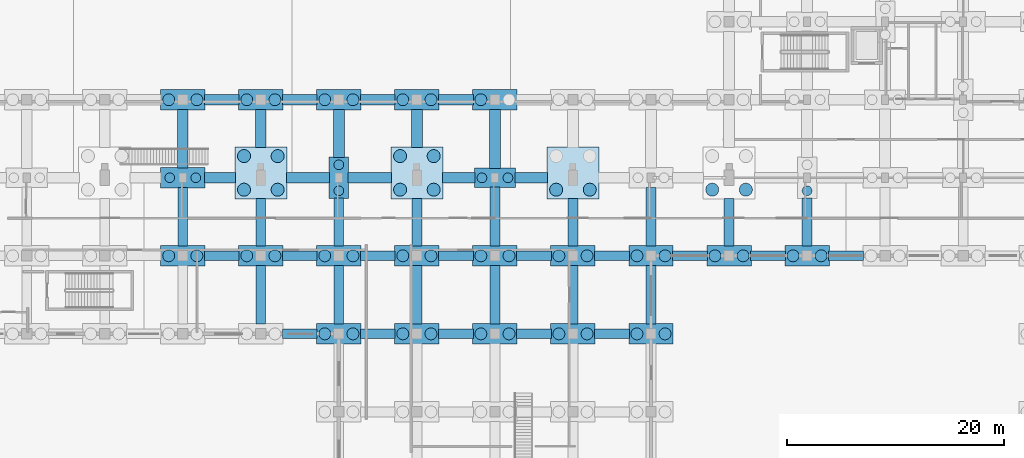
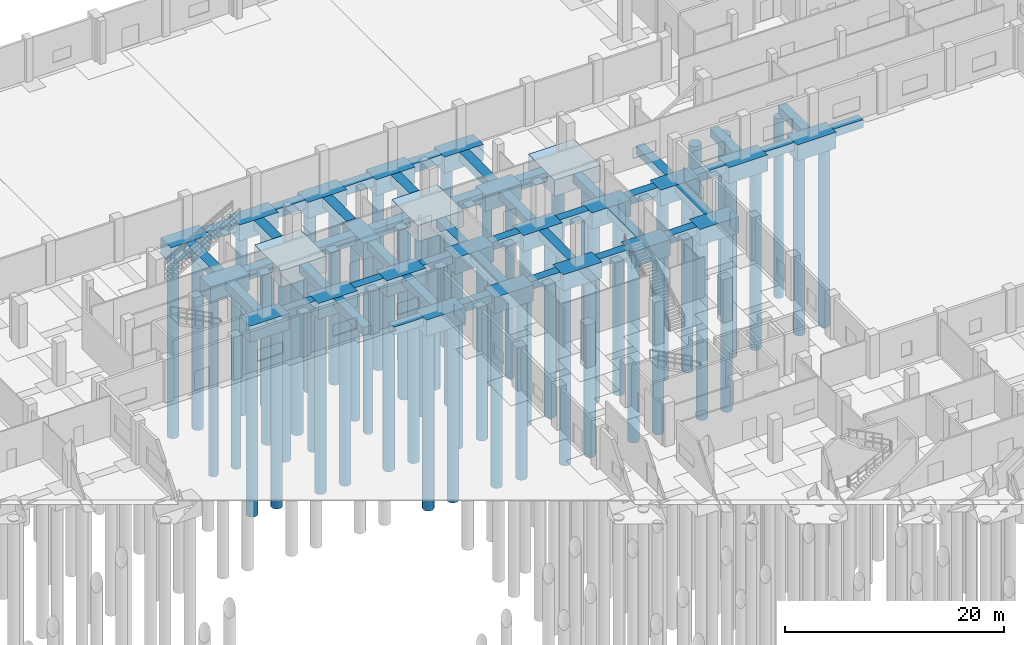
# One storey, part 8 of 48: 68 footings, 56 piles.
"""IFC4 building model written with IfcOpenShell, lengths in metres."""

from ifc_helpers import new_model, si_unit, direction, frame, origin, origin_2d, place, context, subcontext, project, spatial, rectangle, circle, extrude, material, material_profile, profile_set, type_object, element, save


model = new_model("IFC4")

# Units and contexts
model_context = context("Model", 3, precision=1e-05, world=origin(), true_north=direction((0.0, 1.0)))
body_context = subcontext(model_context, "Body", "Model", "MODEL_VIEW")
ifc_project = project(units=[si_unit("LENGTHUNIT", "METRE"), si_unit("AREAUNIT", "SQUARE_METRE"), si_unit("VOLUMEUNIT", "CUBIC_METRE"), si_unit("PLANEANGLEUNIT", "RADIAN"), si_unit("MASSUNIT", "GRAM", prefix="KILO")], contexts=[model_context])

# Site, building, storey
site_placement = place(None, origin())
site = spatial("IfcSite", under=ifc_project, at=site_placement, CompositionType="ELEMENT")
building_placement = place(site_placement, origin())
building = spatial("IfcBuilding", under=site, at=building_placement, Name="Seraya Terrace Polytechnic", CompositionType="ELEMENT")
storey_placement = place(building_placement, origin())
storey = spatial("IfcBuildingStorey", under=building, at=storey_placement, Name="L00", CompositionType="ELEMENT", Elevation=0.0)

# Piles
ifc_material = material(Name="Concrete C40/50", Category="concrete")
ifc_material_profile_1 = material_profile(ifc_material, circle(Radius=0.449951171875, at=origin_2d()), Name="DIA 900")
ifc_profile_set_1 = profile_set([ifc_material_profile_1], Name="Concrete C40/50")
pile_type_1 = type_object("IfcPileType", Name="BP-02", PredefinedType="BORED", material=ifc_profile_set_1)
for number, where, z_axis, x_axis, name in (
    (1, (63.60009765625, 79.199951171875, -1.699951171875), (0.0, 0.0, -1.0), (1.0, 0.0, 0.0), "Bored pile BP-02 0648_0792-1"),
    (2, (66.0, 79.199951171875, -1.699951171875), (0.0, 0.0, -1.0), (1.0, 0.0, 0.0), "Bored pile BP-02 0648_0792-2"),
    (3, (79.199951171875, 78.0, -1.699951171875), (0.0, 0.0, -1.0), (1.0, 0.0, 0.0), "Bored pile BP-02 0792_0792-1"),
    (4, (79.199951171875, 80.39990234375, -1.699951171875), (0.0, 0.0, -1.0), (1.0, 0.0, 0.0), "Bored pile BP-02 0792_0792-2"),
    (5, (92.39990234375, 79.199951171875, -1.699951171875), (0.0, 0.0, -1.0), (1.0, 0.0, 0.0), "Bored pile BP-02 0936_0792-1"),
    (6, (94.800048828125, 79.199951171875, -1.699951171875), (0.0, 0.0, -1.0), (1.0, 0.0, 0.0), "Bored pile BP-02 0936_0792-2"),
    (7, (122.39990234375, 78.0, -1.699951171875), (0.0, 0.0, -1.0), (1.0, 0.0, 0.0), "Bored pile BP-02 1224_0792-1"),
):
    element("IfcPile", number, at=place(storey_placement, frame(where, z_axis=z_axis, x_axis=x_axis)), inside=storey, type_object=pile_type_1, Name=name, PredefinedType="BORED", context=body_context, shape_type="SweptSolid", body=[
        extrude(circle(Radius=0.449951171875, at=origin_2d()), origin(), (0.0, 0.0, 1.0), 20.0),
    ])
ifc_material_profile_2 = material_profile(ifc_material, circle(Radius=0.550048828125, at=origin_2d()), Name="DIA 1100")
ifc_profile_set_2 = profile_set([ifc_material_profile_2], Name="Concrete C40/50")
pile_type_2 = type_object("IfcPileType", Name="BP-04", PredefinedType="BORED", material=ifc_profile_set_2)
for number, where, z_axis, x_axis, name in (
    (8, (63.5, 72.0, -1.699951171875), (0.0, 0.0, -1.0), (1.0, 0.0, 0.0), "Bored pile BP-04 0648_0720-1"),
    (9, (66.10009765625, 72.0, -1.699951171875), (0.0, 0.0, -1.0), (1.0, 0.0, 0.0), "Bored pile BP-04 0648_0720-2"),
    (10, (63.5, 86.39990234375, -1.699951171875), (0.0, 0.0, -1.0), (1.0, 0.0, 0.0), "Bored pile BP-04 0648_0864-1"),
    (11, (66.10009765625, 86.39990234375, -1.699951171875), (0.0, 0.0, -1.0), (1.0, 0.0, 0.0), "Bored pile BP-04 0648_0864-2"),
    (12, (70.699951171875, 72.0, -1.699951171875), (0.0, 0.0, -1.0), (1.0, 0.0, 0.0), "Bored pile BP-04 0720_0720-1"),
    (13, (73.300048828125, 72.0, -1.699951171875), (0.0, 0.0, -1.0), (1.0, 0.0, 0.0), "Bored pile BP-04 0720_0720-2"),
    (14, (70.699951171875, 86.39990234375, -1.699951171875), (0.0, 0.0, -1.0), (1.0, 0.0, 0.0), "Bored pile BP-04 0720_0864-1"),
    (15, (73.300048828125, 86.39990234375, -1.699951171875), (0.0, 0.0, -1.0), (1.0, 0.0, 0.0), "Bored pile BP-04 0720_0864-2"),
    (16, (77.89990234375, 64.800048828125, -1.699951171875), (0.0, 0.0, -1.0), (1.0, 0.0, 0.0), "Bored pile BP-04 0792_0648-1"),
    (17, (80.5, 64.800048828125, -1.699951171875), (0.0, 0.0, -1.0), (1.0, 0.0, 0.0), "Bored pile BP-04 0792_0648-2"),
    (18, (77.89990234375, 72.0, -1.699951171875), (0.0, 0.0, -1.0), (1.0, 0.0, 0.0), "Bored pile BP-04 0792_0720-1"),
    (19, (80.5, 72.0, -1.699951171875), (0.0, 0.0, -1.0), (1.0, 0.0, 0.0), "Bored pile BP-04 0792_0720-2"),
    (20, (77.89990234375, 86.39990234375, -1.699951171875), (0.0, 0.0, -1.0), (1.0, 0.0, 0.0), "Bored pile BP-04 0792_0864-1"),
    (21, (80.5, 86.39990234375, -1.699951171875), (0.0, 0.0, -1.0), (1.0, 0.0, 0.0), "Bored pile BP-04 0792_0864-2"),
    (22, (85.10009765625, 64.800048828125, -1.699951171875), (0.0, 0.0, -1.0), (1.0, 0.0, 0.0), "Bored pile BP-04 0864_0648-1"),
    (23, (87.699951171875, 64.800048828125, -1.699951171875), (0.0, 0.0, -1.0), (1.0, 0.0, 0.0), "Bored pile BP-04 0864_0648-2"),
    (24, (85.10009765625, 72.0, -1.699951171875), (0.0, 0.0, -1.0), (1.0, 0.0, 0.0), "Bored pile BP-04 0864_0720-1"),
    (25, (87.699951171875, 72.0, -1.699951171875), (0.0, 0.0, -1.0), (1.0, 0.0, 0.0), "Bored pile BP-04 0864_0720-2"),
    (26, (85.10009765625, 86.39990234375, -1.699951171875), (0.0, 0.0, -1.0), (1.0, 0.0, 0.0), "Bored pile BP-04 0864_0864-1"),
    (27, (87.699951171875, 86.39990234375, -1.699951171875), (0.0, 0.0, -1.0), (1.0, 0.0, 0.0), "Bored pile BP-04 0864_0864-2"),
    (28, (92.300048828125, 64.800048828125, -1.699951171875), (0.0, 0.0, -1.0), (1.0, 0.0, 0.0), "Bored pile BP-04 0936_0648-1"),
    (29, (94.89990234375, 64.800048828125, -1.699951171875), (0.0, 0.0, -1.0), (1.0, 0.0, 0.0), "Bored pile BP-04 0936_0648-2"),
    (30, (92.300048828125, 72.0, -1.699951171875), (0.0, 0.0, -1.0), (1.0, 0.0, 0.0), "Bored pile BP-04 0936_0720-1"),
    (31, (94.89990234375, 72.0, -1.699951171875), (0.0, 0.0, -1.0), (1.0, 0.0, 0.0), "Bored pile BP-04 0936_0720-2"),
    (32, (92.300048828125, 86.39990234375, -1.699951171875), (0.0, 0.0, -1.0), (1.0, 0.0, 0.0), "Bored pile BP-04 0936_0864-1"),
    (33, (99.5, 64.800048828125, -1.699951171875), (0.0, 0.0, -1.0), (1.0, 0.0, 0.0), "Bored pile BP-04 1008_0648-1"),
    (34, (102.10009765625, 64.800048828125, -1.699951171875), (0.0, 0.0, -1.0), (1.0, 0.0, 0.0), "Bored pile BP-04 1008_0648-2"),
    (35, (99.5, 72.0, -1.699951171875), (0.0, 0.0, -1.0), (1.0, 0.0, 0.0), "Bored pile BP-04 1008_0720-1"),
    (36, (102.10009765625, 72.0, -1.699951171875), (0.0, 0.0, -1.0), (1.0, 0.0, 0.0), "Bored pile BP-04 1008_0720-2"),
    (37, (106.699951171875, 64.800048828125, -1.699951171875), (0.0, 0.0, -1.0), (1.0, 0.0, 0.0), "Bored pile BP-04 1080_0648-1"),
    (38, (109.300048828125, 64.800048828125, -1.699951171875), (0.0, 0.0, -1.0), (1.0, 0.0, 0.0), "Bored pile BP-04 1080_0648-2"),
    (39, (106.699951171875, 72.0, -1.699951171875), (0.0, 0.0, -1.0), (1.0, 0.0, 0.0), "Bored pile BP-04 1080_0720-1"),
    (40, (109.300048828125, 72.0, -1.699951171875), (0.0, 0.0, -1.0), (1.0, 0.0, 0.0), "Bored pile BP-04 1080_0720-2"),
    (41, (113.89990234375, 72.0, -1.699951171875), (0.0, 0.0, -1.0), (1.0, 0.0, 0.0), "Bored pile BP-04 1152_0720-1"),
    (42, (116.5, 72.0, -1.699951171875), (0.0, 0.0, -1.0), (1.0, 0.0, 0.0), "Bored pile BP-04 1152_0720-2"),
    (43, (121.10009765625, 72.0, -1.699951171875), (0.0, 0.0, -1.0), (1.0, 0.0, 0.0), "Bored pile BP-04 1224_0720-1"),
    (44, (123.699951171875, 72.0, -1.699951171875), (0.0, 0.0, -1.0), (1.0, 0.0, 0.0), "Bored pile BP-04 1224_0720-2"),
):
    element("IfcPile", number, at=place(storey_placement, frame(where, z_axis=z_axis, x_axis=x_axis)), inside=storey, type_object=pile_type_2, Name=name, PredefinedType="BORED", context=body_context, shape_type="SweptSolid", body=[
        extrude(circle(Radius=0.550048828125, at=origin_2d()), origin(), (0.0, 0.0, 1.0), 20.0),
    ])
ifc_material_profile_3 = material_profile(ifc_material, circle(Radius=0.60009765625, at=origin_2d()), Name="DIA 1200")
ifc_profile_set_3 = profile_set([ifc_material_profile_3], Name="Concrete C40/50")
pile_type_3 = type_object("IfcPileType", Name="BP-05", PredefinedType="BORED", material=ifc_profile_set_3)
for number, where, z_axis, x_axis, name in (
    (45, (70.449951171875, 78.10009765625, -1.699951171875), (0.0, 0.0, -1.0), (1.0, 0.0, 0.0), "Bored pile BP-05 0720_0792-1"),
    (46, (73.550048828125, 78.10009765625, -1.699951171875), (0.0, 0.0, -1.0), (1.0, 0.0, 0.0), "Bored pile BP-05 0720_0792-2"),
    (47, (70.449951171875, 81.199951171875, -1.699951171875), (0.0, 0.0, -1.0), (1.0, 0.0, 0.0), "Bored pile BP-05 0720_0792-3"),
    (48, (73.550048828125, 81.199951171875, -1.699951171875), (0.0, 0.0, -1.0), (1.0, 0.0, 0.0), "Bored pile BP-05 0720_0792-4"),
    (49, (84.85009765625, 78.10009765625, -1.699951171875), (0.0, 0.0, -1.0), (1.0, 0.0, 0.0), "Bored pile BP-05 0864_0792-1"),
    (50, (87.949951171875, 78.10009765625, -1.699951171875), (0.0, 0.0, -1.0), (1.0, 0.0, 0.0), "Bored pile BP-05 0864_0792-2"),
    (51, (84.85009765625, 81.199951171875, -1.699951171875), (0.0, 0.0, -1.0), (1.0, 0.0, 0.0), "Bored pile BP-05 0864_0792-3"),
    (52, (87.949951171875, 81.199951171875, -1.699951171875), (0.0, 0.0, -1.0), (1.0, 0.0, 0.0), "Bored pile BP-05 0864_0792-4"),
    (53, (99.25, 78.10009765625, -1.699951171875), (0.0, 0.0, -1.0), (1.0, 0.0, 0.0), "Bored pile BP-05 1008_0792-1"),
    (54, (102.35009765625, 78.10009765625, -1.699951171875), (0.0, 0.0, -1.0), (1.0, 0.0, 0.0), "Bored pile BP-05 1008_0792-2"),
    (55, (113.64990234375, 78.10009765625, -1.699951171875), (0.0, 0.0, -1.0), (1.0, 0.0, 0.0), "Bored pile BP-05 1152_0792-1"),
    (56, (116.75, 78.10009765625, -1.699951171875), (0.0, 0.0, -1.0), (1.0, 0.0, 0.0), "Bored pile BP-05 1152_0792-2"),
):
    element("IfcPile", number, at=place(storey_placement, frame(where, z_axis=z_axis, x_axis=x_axis)), inside=storey, type_object=pile_type_3, Name=name, PredefinedType="BORED", context=body_context, shape_type="SweptSolid", body=[
        extrude(circle(Radius=0.60009765625, at=origin_2d()), origin(), (0.0, 0.0, 1.0), 20.0),
    ])

# Footings
footing_type_1 = type_object("IfcFootingType", Name="FB-01", PredefinedType="FOOTING_BEAM", material=ifc_material)
footing_1_placement = place(storey_placement, frame((68.39990234375, 72.0, -0.89990234375), z_axis=(0.0, 0.0, 1.0), x_axis=(1.0, 0.0, 0.0)))
element("IfcFooting", 57, at=footing_1_placement, inside=storey, type_object=footing_type_1, Name="Foundation tie beam FB-01 X", PredefinedType="FOOTING_BEAM", context=body_context, shape_type="SweptSolid", body=[
    extrude(rectangle(XDim=3.199951171875, YDim=0.89990234375, at=origin_2d()), origin(), (0.0, 0.0, 1.0), 0.89990234375),
])
footing_2_placement = place(storey_placement, frame((64.800048828125, 75.60009765625, -0.89990234375), z_axis=(0.0, 0.0, 1.0), x_axis=(0.0, 1.0, 0.0)))
element("IfcFooting", 58, at=footing_2_placement, inside=storey, type_object=footing_type_1, Name="Foundation tie beam FB-01 Y", PredefinedType="FOOTING_BEAM", context=body_context, shape_type="SweptSolid", body=[
    extrude(rectangle(XDim=5.39990234375, YDim=0.89990234375, at=origin_2d()), origin(), (0.0, 0.0, 1.0), 0.89990234375),
])
footing_3_placement = place(storey_placement, frame((75.60009765625, 64.800048828125, -0.89990234375), z_axis=(0.0, 0.0, 1.0), x_axis=(1.0, 0.0, 0.0)))
element("IfcFooting", 59, at=footing_3_placement, inside=storey, type_object=footing_type_1, Name="Foundation tie beam FB-01 X", PredefinedType="FOOTING_BEAM", context=body_context, shape_type="SweptSolid", body=[
    extrude(rectangle(XDim=3.199951171875, YDim=0.89990234375, at=origin_2d()), origin(), (0.0, 0.0, 1.0), 0.89990234375),
])
footing_4_placement = place(storey_placement, frame((72.0, 68.39990234375, -0.89990234375), z_axis=(0.0, 0.0, 1.0), x_axis=(0.0, 1.0, 0.0)))
element("IfcFooting", 60, at=footing_4_placement, inside=storey, type_object=footing_type_1, Name="Foundation tie beam FB-01 Y", PredefinedType="FOOTING_BEAM", context=body_context, shape_type="SweptSolid", body=[
    extrude(rectangle(XDim=5.39990234375, YDim=0.89990234375, at=origin_2d()), origin(), (0.0, 0.0, 1.0), 0.89990234375),
])
footing_5_placement = place(storey_placement, frame((75.60009765625, 72.0, -0.89990234375), z_axis=(0.0, 0.0, 1.0), x_axis=(1.0, 0.0, 0.0)))
element("IfcFooting", 61, at=footing_5_placement, inside=storey, type_object=footing_type_1, Name="Foundation tie beam FB-01 X", PredefinedType="FOOTING_BEAM", context=body_context, shape_type="SweptSolid", body=[
    extrude(rectangle(XDim=3.199951171875, YDim=0.89990234375, at=origin_2d()), origin(), (0.0, 0.0, 1.0), 0.89990234375),
])
footing_6_placement = place(storey_placement, frame((72.0, 75.10009765625, -0.89990234375), z_axis=(0.0, 0.0, 1.0), x_axis=(0.0, 1.0, 0.0)))
element("IfcFooting", 62, at=footing_6_placement, inside=storey, type_object=footing_type_1, Name="Foundation tie beam FB-01 Y", PredefinedType="FOOTING_BEAM", context=body_context, shape_type="SweptSolid", body=[
    extrude(rectangle(XDim=4.39990234375, YDim=0.89990234375, at=origin_2d()), origin(), (0.0, 0.0, 1.0), 0.89990234375),
])
footing_7_placement = place(storey_placement, frame((82.800048828125, 64.800048828125, -0.89990234375), z_axis=(0.0, 0.0, 1.0), x_axis=(1.0, 0.0, 0.0)))
element("IfcFooting", 63, at=footing_7_placement, inside=storey, type_object=footing_type_1, Name="Foundation tie beam FB-01 X", PredefinedType="FOOTING_BEAM", context=body_context, shape_type="SweptSolid", body=[
    extrude(rectangle(XDim=3.199951171875, YDim=0.89990234375, at=origin_2d()), origin(), (0.0, 0.0, 1.0), 0.89990234375),
])
footing_8_placement = place(storey_placement, frame((79.199951171875, 68.39990234375, -0.89990234375), z_axis=(0.0, 0.0, 1.0), x_axis=(0.0, 1.0, 0.0)))
element("IfcFooting", 64, at=footing_8_placement, inside=storey, type_object=footing_type_1, Name="Foundation tie beam FB-01 Y", PredefinedType="FOOTING_BEAM", context=body_context, shape_type="SweptSolid", body=[
    extrude(rectangle(XDim=5.39990234375, YDim=0.89990234375, at=origin_2d()), origin(), (0.0, 0.0, 1.0), 0.89990234375),
])
footing_9_placement = place(storey_placement, frame((82.800048828125, 72.0, -0.89990234375), z_axis=(0.0, 0.0, 1.0), x_axis=(1.0, 0.0, 0.0)))
element("IfcFooting", 65, at=footing_9_placement, inside=storey, type_object=footing_type_1, Name="Foundation tie beam FB-01 X", PredefinedType="FOOTING_BEAM", context=body_context, shape_type="SweptSolid", body=[
    extrude(rectangle(XDim=3.199951171875, YDim=0.89990234375, at=origin_2d()), origin(), (0.0, 0.0, 1.0), 0.89990234375),
])
footing_10_placement = place(storey_placement, frame((79.199951171875, 75.125, -0.89990234375), z_axis=(0.0, 0.0, 1.0), x_axis=(0.0, 1.0, 0.0)))
element("IfcFooting", 66, at=footing_10_placement, inside=storey, type_object=footing_type_1, Name="Foundation tie beam FB-01 Y", PredefinedType="FOOTING_BEAM", context=body_context, shape_type="SweptSolid", body=[
    extrude(rectangle(XDim=4.449951171875, YDim=0.89990234375, at=origin_2d()), origin(), (0.0, 0.0, 1.0), 0.89990234375),
])
footing_11_placement = place(storey_placement, frame((90.0, 64.800048828125, -0.89990234375), z_axis=(0.0, 0.0, 1.0), x_axis=(1.0, 0.0, 0.0)))
element("IfcFooting", 67, at=footing_11_placement, inside=storey, type_object=footing_type_1, Name="Foundation tie beam FB-01 X", PredefinedType="FOOTING_BEAM", context=body_context, shape_type="SweptSolid", body=[
    extrude(rectangle(XDim=3.199951171875, YDim=0.89990234375, at=origin_2d()), origin(), (0.0, 0.0, 1.0), 0.89990234375),
])
footing_12_placement = place(storey_placement, frame((86.39990234375, 68.39990234375, -0.89990234375), z_axis=(0.0, 0.0, 1.0), x_axis=(0.0, 1.0, 0.0)))
element("IfcFooting", 68, at=footing_12_placement, inside=storey, type_object=footing_type_1, Name="Foundation tie beam FB-01 Y", PredefinedType="FOOTING_BEAM", context=body_context, shape_type="SweptSolid", body=[
    extrude(rectangle(XDim=5.39990234375, YDim=0.89990234375, at=origin_2d()), origin(), (0.0, 0.0, 1.0), 0.89990234375),
])
footing_13_placement = place(storey_placement, frame((90.0, 72.0, -0.89990234375), z_axis=(0.0, 0.0, 1.0), x_axis=(1.0, 0.0, 0.0)))
element("IfcFooting", 69, at=footing_13_placement, inside=storey, type_object=footing_type_1, Name="Foundation tie beam FB-01 X", PredefinedType="FOOTING_BEAM", context=body_context, shape_type="SweptSolid", body=[
    extrude(rectangle(XDim=3.199951171875, YDim=0.89990234375, at=origin_2d()), origin(), (0.0, 0.0, 1.0), 0.89990234375),
])
footing_14_placement = place(storey_placement, frame((86.39990234375, 75.10009765625, -0.89990234375), z_axis=(0.0, 0.0, 1.0), x_axis=(0.0, 1.0, 0.0)))
element("IfcFooting", 70, at=footing_14_placement, inside=storey, type_object=footing_type_1, Name="Foundation tie beam FB-01 Y", PredefinedType="FOOTING_BEAM", context=body_context, shape_type="SweptSolid", body=[
    extrude(rectangle(XDim=4.39990234375, YDim=0.89990234375, at=origin_2d()), origin(), (0.0, 0.0, 1.0), 0.89990234375),
])
footing_15_placement = place(storey_placement, frame((97.199951171875, 64.800048828125, -0.89990234375), z_axis=(0.0, 0.0, 1.0), x_axis=(1.0, 0.0, 0.0)))
element("IfcFooting", 71, at=footing_15_placement, inside=storey, type_object=footing_type_1, Name="Foundation tie beam FB-01 X", PredefinedType="FOOTING_BEAM", context=body_context, shape_type="SweptSolid", body=[
    extrude(rectangle(XDim=3.199951171875, YDim=0.89990234375, at=origin_2d()), origin(), (0.0, 0.0, 1.0), 0.89990234375),
])
footing_16_placement = place(storey_placement, frame((93.60009765625, 68.39990234375, -0.89990234375), z_axis=(0.0, 0.0, 1.0), x_axis=(0.0, 1.0, 0.0)))
element("IfcFooting", 72, at=footing_16_placement, inside=storey, type_object=footing_type_1, Name="Foundation tie beam FB-01 Y", PredefinedType="FOOTING_BEAM", context=body_context, shape_type="SweptSolid", body=[
    extrude(rectangle(XDim=5.39990234375, YDim=0.89990234375, at=origin_2d()), origin(), (0.0, 0.0, 1.0), 0.89990234375),
])
footing_17_placement = place(storey_placement, frame((97.199951171875, 72.0, -0.89990234375), z_axis=(0.0, 0.0, 1.0), x_axis=(1.0, 0.0, 0.0)))
element("IfcFooting", 73, at=footing_17_placement, inside=storey, type_object=footing_type_1, Name="Foundation tie beam FB-01 X", PredefinedType="FOOTING_BEAM", context=body_context, shape_type="SweptSolid", body=[
    extrude(rectangle(XDim=3.199951171875, YDim=0.89990234375, at=origin_2d()), origin(), (0.0, 0.0, 1.0), 0.89990234375),
])
footing_18_placement = place(storey_placement, frame((93.60009765625, 75.625, -0.89990234375), z_axis=(0.0, 0.0, 1.0), x_axis=(0.0, 1.0, 0.0)))
element("IfcFooting", 74, at=footing_18_placement, inside=storey, type_object=footing_type_1, Name="Foundation tie beam FB-01 Y", PredefinedType="FOOTING_BEAM", context=body_context, shape_type="SweptSolid", body=[
    extrude(rectangle(XDim=5.449951171875, YDim=0.89990234375, at=origin_2d()), origin(), (0.0, 0.0, 1.0), 0.89990234375),
])
footing_19_placement = place(storey_placement, frame((104.39990234375, 64.800048828125, -0.89990234375), z_axis=(0.0, 0.0, 1.0), x_axis=(1.0, 0.0, 0.0)))
element("IfcFooting", 75, at=footing_19_placement, inside=storey, type_object=footing_type_1, Name="Foundation tie beam FB-01 X", PredefinedType="FOOTING_BEAM", context=body_context, shape_type="SweptSolid", body=[
    extrude(rectangle(XDim=3.199951171875, YDim=0.89990234375, at=origin_2d()), origin(), (0.0, 0.0, 1.0), 0.89990234375),
])
footing_20_placement = place(storey_placement, frame((100.800048828125, 68.39990234375, -0.89990234375), z_axis=(0.0, 0.0, 1.0), x_axis=(0.0, 1.0, 0.0)))
element("IfcFooting", 76, at=footing_20_placement, inside=storey, type_object=footing_type_1, Name="Foundation tie beam FB-01 Y", PredefinedType="FOOTING_BEAM", context=body_context, shape_type="SweptSolid", body=[
    extrude(rectangle(XDim=5.39990234375, YDim=0.89990234375, at=origin_2d()), origin(), (0.0, 0.0, 1.0), 0.89990234375),
])
footing_21_placement = place(storey_placement, frame((104.39990234375, 72.0, -0.89990234375), z_axis=(0.0, 0.0, 1.0), x_axis=(1.0, 0.0, 0.0)))
element("IfcFooting", 77, at=footing_21_placement, inside=storey, type_object=footing_type_1, Name="Foundation tie beam FB-01 X", PredefinedType="FOOTING_BEAM", context=body_context, shape_type="SweptSolid", body=[
    extrude(rectangle(XDim=3.199951171875, YDim=0.89990234375, at=origin_2d()), origin(), (0.0, 0.0, 1.0), 0.89990234375),
])
footing_22_placement = place(storey_placement, frame((100.800048828125, 75.10009765625, -0.89990234375), z_axis=(0.0, 0.0, 1.0), x_axis=(0.0, 1.0, 0.0)))
element("IfcFooting", 78, at=footing_22_placement, inside=storey, type_object=footing_type_1, Name="Foundation tie beam FB-01 Y", PredefinedType="FOOTING_BEAM", context=body_context, shape_type="SweptSolid", body=[
    extrude(rectangle(XDim=4.39990234375, YDim=0.89990234375, at=origin_2d()), origin(), (0.0, 0.0, 1.0), 0.89990234375),
])
footing_23_placement = place(storey_placement, frame((108.0, 68.39990234375, -0.89990234375), z_axis=(0.0, 0.0, 1.0), x_axis=(0.0, 1.0, 0.0)))
element("IfcFooting", 79, at=footing_23_placement, inside=storey, type_object=footing_type_1, Name="Foundation tie beam FB-01 Y", PredefinedType="FOOTING_BEAM", context=body_context, shape_type="SweptSolid", body=[
    extrude(rectangle(XDim=5.39990234375, YDim=0.89990234375, at=origin_2d()), origin(), (0.0, 0.0, 1.0), 0.89990234375),
])
footing_24_placement = place(storey_placement, frame((111.60009765625, 72.0, -0.89990234375), z_axis=(0.0, 0.0, 1.0), x_axis=(1.0, 0.0, 0.0)))
element("IfcFooting", 80, at=footing_24_placement, inside=storey, type_object=footing_type_1, Name="Foundation tie beam FB-01 X", PredefinedType="FOOTING_BEAM", context=body_context, shape_type="SweptSolid", body=[
    extrude(rectangle(XDim=3.199951171875, YDim=0.89990234375, at=origin_2d()), origin(), (0.0, 0.0, 1.0), 0.89990234375),
])
footing_25_placement = place(storey_placement, frame((108.0, 75.60009765625, -0.89990234375), z_axis=(0.0, 0.0, 1.0), x_axis=(0.0, 1.0, 0.0)))
element("IfcFooting", 81, at=footing_25_placement, inside=storey, type_object=footing_type_1, Name="Foundation tie beam FB-01 Y", PredefinedType="FOOTING_BEAM", context=body_context, shape_type="SweptSolid", body=[
    extrude(rectangle(XDim=5.39990234375, YDim=0.89990234375, at=origin_2d()), origin(), (0.0, 0.0, 1.0), 0.89990234375),
])
footing_26_placement = place(storey_placement, frame((118.800048828125, 72.0, -0.89990234375), z_axis=(0.0, 0.0, 1.0), x_axis=(1.0, 0.0, 0.0)))
element("IfcFooting", 82, at=footing_26_placement, inside=storey, type_object=footing_type_1, Name="Foundation tie beam FB-01 X", PredefinedType="FOOTING_BEAM", context=body_context, shape_type="SweptSolid", body=[
    extrude(rectangle(XDim=3.199951171875, YDim=0.89990234375, at=origin_2d()), origin(), (0.0, 0.0, 1.0), 0.89990234375),
])
footing_27_placement = place(storey_placement, frame((115.199951171875, 75.10009765625, -0.89990234375), z_axis=(0.0, 0.0, 1.0), x_axis=(0.0, 1.0, 0.0)))
element("IfcFooting", 83, at=footing_27_placement, inside=storey, type_object=footing_type_1, Name="Foundation tie beam FB-01 Y", PredefinedType="FOOTING_BEAM", context=body_context, shape_type="SweptSolid", body=[
    extrude(rectangle(XDim=4.39990234375, YDim=0.89990234375, at=origin_2d()), origin(), (0.0, 0.0, 1.0), 0.89990234375),
])
footing_28_placement = place(storey_placement, frame((126.0, 72.0, -0.89990234375), z_axis=(0.0, 0.0, 1.0), x_axis=(1.0, 0.0, 0.0)))
element("IfcFooting", 84, at=footing_28_placement, inside=storey, type_object=footing_type_1, Name="Foundation tie beam FB-01 X", PredefinedType="FOOTING_BEAM", context=body_context, shape_type="SweptSolid", body=[
    extrude(rectangle(XDim=3.199951171875, YDim=0.89990234375, at=origin_2d()), origin(), (0.0, 0.0, 1.0), 0.89990234375),
])
footing_29_placement = place(storey_placement, frame((122.39990234375, 75.125, -0.89990234375), z_axis=(0.0, 0.0, 1.0), x_axis=(0.0, 1.0, 0.0)))
element("IfcFooting", 85, at=footing_29_placement, inside=storey, type_object=footing_type_1, Name="Foundation tie beam FB-01 Y", PredefinedType="FOOTING_BEAM", context=body_context, shape_type="SweptSolid", body=[
    extrude(rectangle(XDim=4.449951171875, YDim=0.89990234375, at=origin_2d()), origin(), (0.0, 0.0, 1.0), 0.89990234375),
])
footing_type_2 = type_object("IfcFootingType", Name="FB-03", PredefinedType="FOOTING_BEAM", material=ifc_material)
footing_30_placement = place(storey_placement, frame((68.22509765625, 79.199951171875, -1.0), z_axis=(0.0, 0.0, 1.0), x_axis=(1.0, 0.0, 0.0)))
element("IfcFooting", 86, at=footing_30_placement, inside=storey, type_object=footing_type_2, Name="Foundation tie beam FB-03 X", PredefinedType="FOOTING_BEAM", context=body_context, shape_type="SweptSolid", body=[
    extrude(rectangle(XDim=2.85009765625, YDim=1.0, at=origin_2d()), origin(), (0.0, 0.0, 1.0), 1.0),
])
footing_31_placement = place(storey_placement, frame((64.800048828125, 82.800048828125, -1.0), z_axis=(0.0, 0.0, 1.0), x_axis=(0.0, 1.0, 0.0)))
element("IfcFooting", 87, at=footing_31_placement, inside=storey, type_object=footing_type_2, Name="Foundation tie beam FB-03 Y", PredefinedType="FOOTING_BEAM", context=body_context, shape_type="SweptSolid", body=[
    extrude(rectangle(XDim=5.39990234375, YDim=1.0, at=origin_2d()), origin(), (0.0, 0.0, 1.0), 1.0),
])
footing_32_placement = place(storey_placement, frame((68.39990234375, 86.39990234375, -1.0), z_axis=(0.0, 0.0, 1.0), x_axis=(1.0, 0.0, 0.0)))
element("IfcFooting", 88, at=footing_32_placement, inside=storey, type_object=footing_type_2, Name="Foundation tie beam FB-03 X", PredefinedType="FOOTING_BEAM", context=body_context, shape_type="SweptSolid", body=[
    extrude(rectangle(XDim=3.199951171875, YDim=1.0, at=origin_2d()), origin(), (0.0, 0.0, 1.0), 1.0),
])
footing_33_placement = place(storey_placement, frame((76.35009765625, 79.199951171875, -1.0), z_axis=(0.0, 0.0, 1.0), x_axis=(1.0, 0.0, 0.0)))
element("IfcFooting", 89, at=footing_33_placement, inside=storey, type_object=footing_type_2, Name="Foundation tie beam FB-03 X", PredefinedType="FOOTING_BEAM", context=body_context, shape_type="SweptSolid", body=[
    extrude(rectangle(XDim=4.0, YDim=1.0, at=origin_2d()), origin(), (0.0, 0.0, 1.0), 1.0),
])
footing_34_placement = place(storey_placement, frame((72.0, 83.75, -1.0), z_axis=(0.0, 0.0, 1.0), x_axis=(0.0, 1.0, 0.0)))
element("IfcFooting", 90, at=footing_34_placement, inside=storey, type_object=footing_type_2, Name="Foundation tie beam FB-03 Y", PredefinedType="FOOTING_BEAM", context=body_context, shape_type="SweptSolid", body=[
    extrude(rectangle(XDim=3.5, YDim=1.0, at=origin_2d()), origin(), (0.0, 0.0, 1.0), 1.0),
])
footing_35_placement = place(storey_placement, frame((75.60009765625, 86.39990234375, -1.0), z_axis=(0.0, 0.0, 1.0), x_axis=(1.0, 0.0, 0.0)))
element("IfcFooting", 91, at=footing_35_placement, inside=storey, type_object=footing_type_2, Name="Foundation tie beam FB-03 X", PredefinedType="FOOTING_BEAM", context=body_context, shape_type="SweptSolid", body=[
    extrude(rectangle(XDim=3.199951171875, YDim=1.0, at=origin_2d()), origin(), (0.0, 0.0, 1.0), 1.0),
])
footing_36_placement = place(storey_placement, frame((82.050048828125, 79.199951171875, -1.0), z_axis=(0.0, 0.0, 1.0), x_axis=(1.0, 0.0, 0.0)))
element("IfcFooting", 92, at=footing_36_placement, inside=storey, type_object=footing_type_2, Name="Foundation tie beam FB-03 X", PredefinedType="FOOTING_BEAM", context=body_context, shape_type="SweptSolid", body=[
    extrude(rectangle(XDim=4.0, YDim=1.0, at=origin_2d()), origin(), (0.0, 0.0, 1.0), 1.0),
])
footing_37_placement = place(storey_placement, frame((79.199951171875, 83.27490234375, -1.0), z_axis=(0.0, 0.0, 1.0), x_axis=(0.0, 1.0, 0.0)))
element("IfcFooting", 93, at=footing_37_placement, inside=storey, type_object=footing_type_2, Name="Foundation tie beam FB-03 Y", PredefinedType="FOOTING_BEAM", context=body_context, shape_type="SweptSolid", body=[
    extrude(rectangle(XDim=4.449951171875, YDim=1.0, at=origin_2d()), origin(), (0.0, 0.0, 1.0), 1.0),
])
footing_38_placement = place(storey_placement, frame((82.800048828125, 86.39990234375, -1.0), z_axis=(0.0, 0.0, 1.0), x_axis=(1.0, 0.0, 0.0)))
element("IfcFooting", 94, at=footing_38_placement, inside=storey, type_object=footing_type_2, Name="Foundation tie beam FB-03 X", PredefinedType="FOOTING_BEAM", context=body_context, shape_type="SweptSolid", body=[
    extrude(rectangle(XDim=3.199951171875, YDim=1.0, at=origin_2d()), origin(), (0.0, 0.0, 1.0), 1.0),
])
footing_39_placement = place(storey_placement, frame((90.25, 79.199951171875, -1.0), z_axis=(0.0, 0.0, 1.0), x_axis=(1.0, 0.0, 0.0)))
element("IfcFooting", 95, at=footing_39_placement, inside=storey, type_object=footing_type_2, Name="Foundation tie beam FB-03 X", PredefinedType="FOOTING_BEAM", context=body_context, shape_type="SweptSolid", body=[
    extrude(rectangle(XDim=3.0, YDim=1.0, at=origin_2d()), origin(), (0.0, 0.0, 1.0), 1.0),
])
footing_40_placement = place(storey_placement, frame((86.39990234375, 83.75, -1.0), z_axis=(0.0, 0.0, 1.0), x_axis=(0.0, 1.0, 0.0)))
element("IfcFooting", 96, at=footing_40_placement, inside=storey, type_object=footing_type_2, Name="Foundation tie beam FB-03 Y", PredefinedType="FOOTING_BEAM", context=body_context, shape_type="SweptSolid", body=[
    extrude(rectangle(XDim=3.5, YDim=1.0, at=origin_2d()), origin(), (0.0, 0.0, 1.0), 1.0),
])
footing_41_placement = place(storey_placement, frame((90.0, 86.39990234375, -1.0), z_axis=(0.0, 0.0, 1.0), x_axis=(1.0, 0.0, 0.0)))
element("IfcFooting", 97, at=footing_41_placement, inside=storey, type_object=footing_type_2, Name="Foundation tie beam FB-03 X", PredefinedType="FOOTING_BEAM", context=body_context, shape_type="SweptSolid", body=[
    extrude(rectangle(XDim=3.199951171875, YDim=1.0, at=origin_2d()), origin(), (0.0, 0.0, 1.0), 1.0),
])
footing_42_placement = place(storey_placement, frame((96.949951171875, 79.199951171875, -1.0), z_axis=(0.0, 0.0, 1.0), x_axis=(1.0, 0.0, 0.0)))
element("IfcFooting", 98, at=footing_42_placement, inside=storey, type_object=footing_type_2, Name="Foundation tie beam FB-03 X", PredefinedType="FOOTING_BEAM", context=body_context, shape_type="SweptSolid", body=[
    extrude(rectangle(XDim=3.0, YDim=1.0, at=origin_2d()), origin(), (0.0, 0.0, 1.0), 1.0),
])
footing_43_placement = place(storey_placement, frame((93.60009765625, 82.77490234375, -1.0), z_axis=(0.0, 0.0, 1.0), x_axis=(0.0, 1.0, 0.0)))
element("IfcFooting", 99, at=footing_43_placement, inside=storey, type_object=footing_type_2, Name="Foundation tie beam FB-03 Y", PredefinedType="FOOTING_BEAM", context=body_context, shape_type="SweptSolid", body=[
    extrude(rectangle(XDim=5.449951171875, YDim=1.0, at=origin_2d()), origin(), (0.0, 0.0, 1.0), 1.0),
])
footing_type_3 = type_object("IfcFootingType", Name="PC-03", PredefinedType="PILE_CAP", material=ifc_material)
footing_44_placement = place(storey_placement, frame((93.60009765625, 79.199951171875, -1.7998046875), z_axis=(0.0, 0.0, 1.0), x_axis=(1.0, 0.0, 0.0)))
element("IfcFooting", 100, at=footing_44_placement, inside=storey, type_object=footing_type_3, Name="Pile cap PC-03 at (93.6, 79.2)", PredefinedType="PILE_CAP", context=body_context, shape_type="SweptSolid", body=[
    extrude(rectangle(XDim=3.800048828125, YDim=1.800048828125, at=origin_2d()), origin(), (0.0, 0.0, 1.0), 1.800048828125),
])
footing_type_4 = type_object("IfcFootingType", Name="PC-04", PredefinedType="PILE_CAP", material=ifc_material)
footing_45_placement = place(storey_placement, frame((79.199951171875, 79.199951171875, -1.7998046875), z_axis=(0.0, 0.0, 1.0), x_axis=(1.0, 0.0, 0.0)))
element("IfcFooting", 101, at=footing_45_placement, inside=storey, type_object=footing_type_4, Name="Pile cap PC-04 at (79.2, 79.2)", PredefinedType="PILE_CAP", context=body_context, shape_type="SweptSolid", body=[
    extrude(rectangle(XDim=1.800048828125, YDim=3.800048828125, at=origin_2d()), origin(), (0.0, 0.0, 1.0), 1.800048828125),
])
footing_type_5 = type_object("IfcFootingType", Name="PC-05", PredefinedType="PILE_CAP", material=ifc_material)
for number, where, z_axis, x_axis, name in (
    (102, (64.800048828125, 72.0, -1.7998046875), (0.0, 0.0, 1.0), (1.0, 0.0, 0.0), "Pile cap PC-05 at (64.8, 72.0)"),
    (103, (64.800048828125, 79.199951171875, -1.7998046875), (0.0, 0.0, 1.0), (1.0, 0.0, 0.0), "Pile cap PC-05 at (64.8, 79.2)"),
    (104, (64.800048828125, 86.39990234375, -1.7998046875), (0.0, 0.0, 1.0), (1.0, 0.0, 0.0), "Pile cap PC-05 at (64.8, 86.4)"),
    (105, (72.0, 72.0, -1.7998046875), (0.0, 0.0, 1.0), (1.0, 0.0, 0.0), "Pile cap PC-05 at (72.0, 72.0)"),
    (106, (72.0, 86.39990234375, -1.7998046875), (0.0, 0.0, 1.0), (1.0, 0.0, 0.0), "Pile cap PC-05 at (72.0, 86.4)"),
    (107, (79.199951171875, 64.800048828125, -1.7998046875), (0.0, 0.0, 1.0), (1.0, 0.0, 0.0), "Pile cap PC-05 at (79.2, 64.8)"),
    (108, (79.199951171875, 72.0, -1.7998046875), (0.0, 0.0, 1.0), (1.0, 0.0, 0.0), "Pile cap PC-05 at (79.2, 72.0)"),
    (109, (79.199951171875, 86.39990234375, -1.7998046875), (0.0, 0.0, 1.0), (1.0, 0.0, 0.0), "Pile cap PC-05 at (79.2, 86.4)"),
    (110, (86.39990234375, 64.800048828125, -1.7998046875), (0.0, 0.0, 1.0), (1.0, 0.0, 0.0), "Pile cap PC-05 at (86.4, 64.8)"),
    (111, (86.39990234375, 72.0, -1.7998046875), (0.0, 0.0, 1.0), (1.0, 0.0, 0.0), "Pile cap PC-05 at (86.4, 72.0)"),
    (112, (86.39990234375, 86.39990234375, -1.7998046875), (0.0, 0.0, 1.0), (1.0, 0.0, 0.0), "Pile cap PC-05 at (86.4, 86.4)"),
    (113, (93.60009765625, 64.800048828125, -1.7998046875), (0.0, 0.0, 1.0), (1.0, 0.0, 0.0), "Pile cap PC-05 at (93.6, 64.8)"),
    (114, (93.60009765625, 72.0, -1.7998046875), (0.0, 0.0, 1.0), (1.0, 0.0, 0.0), "Pile cap PC-05 at (93.6, 72.0)"),
    (115, (93.60009765625, 86.39990234375, -1.7998046875), (0.0, 0.0, 1.0), (1.0, 0.0, 0.0), "Pile cap PC-05 at (93.6, 86.4)"),
    (116, (100.800048828125, 64.800048828125, -1.7998046875), (0.0, 0.0, 1.0), (1.0, 0.0, 0.0), "Pile cap PC-05 at (100.8, 64.8)"),
    (117, (100.800048828125, 72.0, -1.7998046875), (0.0, 0.0, 1.0), (1.0, 0.0, 0.0), "Pile cap PC-05 at (100.8, 72.0)"),
    (118, (108.0, 64.800048828125, -1.7998046875), (0.0, 0.0, 1.0), (1.0, 0.0, 0.0), "Pile cap PC-05 at (108.0, 64.8)"),
    (119, (108.0, 72.0, -1.7998046875), (0.0, 0.0, 1.0), (1.0, 0.0, 0.0), "Pile cap PC-05 at (108.0, 72.0)"),
    (120, (115.199951171875, 72.0, -1.7998046875), (0.0, 0.0, 1.0), (1.0, 0.0, 0.0), "Pile cap PC-05 at (115.2, 72.0)"),
    (121, (122.39990234375, 72.0, -1.7998046875), (0.0, 0.0, 1.0), (1.0, 0.0, 0.0), "Pile cap PC-05 at (122.4, 72.0)"),
):
    element("IfcFooting", number, at=place(storey_placement, frame(where, z_axis=z_axis, x_axis=x_axis)), inside=storey, type_object=footing_type_5, Name=name, PredefinedType="PILE_CAP", context=body_context, shape_type="SweptSolid", body=[
        extrude(rectangle(XDim=4.10009765625, YDim=1.89990234375, at=origin_2d()), origin(), (0.0, 0.0, 1.0), 1.800048828125),
    ])
footing_type_6 = type_object("IfcFootingType", Name="PC-09", PredefinedType="PILE_CAP", material=ifc_material)
for number, where, z_axis, x_axis, name in (
    (122, (72.0, 79.64990234375, -1.7998046875), (0.0, 0.0, 1.0), (1.0, 0.0, 0.0), "Pile cap PC-09 at (72.0, 79.2)"),
    (123, (86.39990234375, 79.64990234375, -1.7998046875), (0.0, 0.0, 1.0), (1.0, 0.0, 0.0), "Pile cap PC-09 at (86.4, 79.2)"),
    (124, (100.800048828125, 79.64990234375, -1.7998046875), (0.0, 0.0, 1.0), (1.0, 0.0, 0.0), "Pile cap PC-09 at (100.8, 79.2)"),
):
    element("IfcFooting", number, at=place(storey_placement, frame(where, z_axis=z_axis, x_axis=x_axis)), inside=storey, type_object=footing_type_6, Name=name, PredefinedType="PILE_CAP", context=body_context, shape_type="SweptSolid", body=[
        extrude(rectangle(XDim=4.800048828125, YDim=4.800048828125, at=origin_2d()), origin(), (0.0, 0.0, 1.0), 1.800048828125),
    ])

save(model, "model.ifc")
